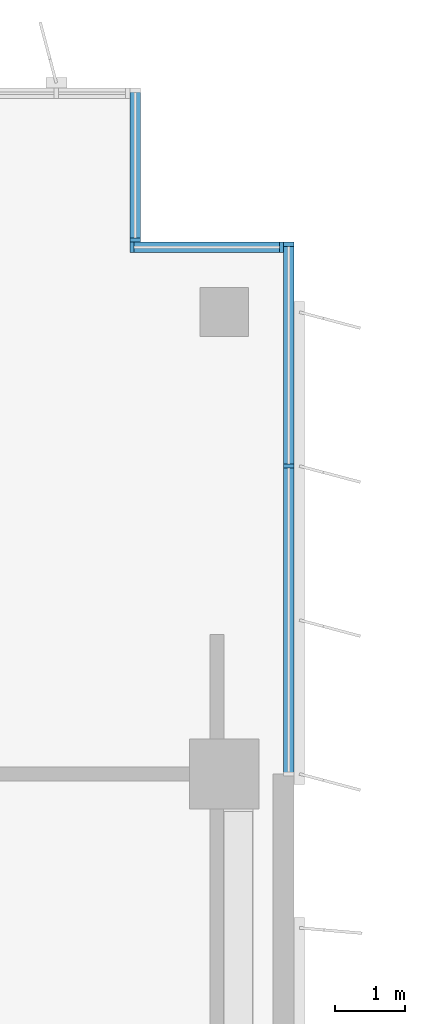
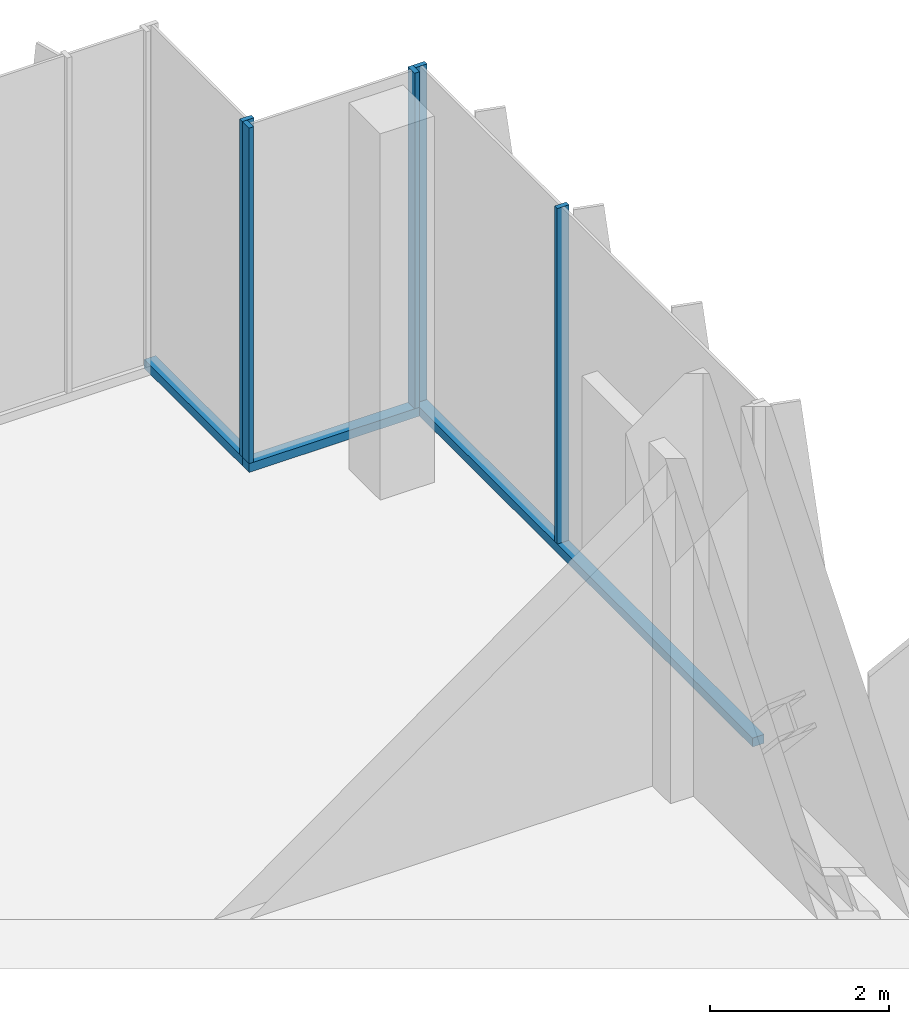
# One storey, part 6 of 17: 8 members, 3 elements without a shape of their own.
"""IFC4 building model written with IfcOpenShell, lengths in metres."""

from ifc_helpers import new_model, si_unit, direction, frame, origin, origin_2d, place, context, subcontext, project, spatial, rectangle, extrude, source, transform, mapped, material, material_profile, profile_set, type_object, element, aggregate, save


model = new_model("IFC4")

# Units and contexts
model_context = context("Model", 3, precision=1e-05, world=origin(), true_north=direction((0.0, 1.0)))
body_context = subcontext(model_context, "Body", "Model", "MODEL_VIEW")
ifc_project = project(units=[si_unit("LENGTHUNIT", "METRE"), si_unit("AREAUNIT", "SQUARE_METRE"), si_unit("VOLUMEUNIT", "CUBIC_METRE"), si_unit("PLANEANGLEUNIT", "RADIAN"), si_unit("MASSUNIT", "GRAM", prefix="KILO")], contexts=[model_context])

# Site, building, storey
site_placement = place(None, origin())
site = spatial("IfcSite", under=ifc_project, at=site_placement, CompositionType="ELEMENT")
building_placement = place(site_placement, origin())
building = spatial("IfcBuilding", under=site, at=building_placement, Name="Kemantara Hotel Tower", CompositionType="ELEMENT")
storey_placement = place(building_placement, frame((0.0, 0.0, 193.800048828125)))
storey = spatial("IfcBuildingStorey", under=building, at=storey_placement, Name="L48", CompositionType="ELEMENT", Elevation=193.800048828125)

# Curtain wall, member
ifc_material_1 = material(Name="Low-E tinted double insulated glass 36 mm", Category="glass")
curtain_wall_type = type_object("IfcCurtainWallType", Name="TOWER CURTAIN WALL, FRONT FACES", PredefinedType="USERDEFINED", material=ifc_material_1)
curtain_wall_1_placement = place(storey_placement, origin())
curtain_wall_1 = element("IfcCurtainWall", 1, at=curtain_wall_1_placement, inside=storey, type_object=curtain_wall_type, Name="CW4 L48 T3-R17-2", ObjectType="TOWER CURTAIN WALL, FRONT FACES", PredefinedType="USERDEFINED")
ifc_material_2 = material(Name="Aluminium 6063-T6 bronze anodised", Category="aluminium")
ifc_material_profile_1 = material_profile(ifc_material_2, rectangle(XDim=0.14990234375, YDim=0.1201171875, at=origin_2d()), Name="TOWER CURTAIN WALL, FRONT FACES TRANSOM")
ifc_profile_set_1 = profile_set([ifc_material_profile_1], Name="Aluminium 6063-T6 bronze anodised")
member_type_1 = type_object("IfcMemberType", Name="TOWER CURTAIN WALL, FRONT FACES TRANSOM", PredefinedType="USERDEFINED", material=ifc_profile_set_1)
member_1_placement = place(storey_placement, frame((21.925048828125, 53.800048828125, 0.06005859375), z_axis=(0.0, 1.0, 0.0), x_axis=(-1.0, 0.0, 0.0)))
member_1 = element("IfcMember", 2, at=member_1_placement, type_object=member_type_1, Name="CW4 sill transom T3-R17-2", ObjectType="TRANSOM", PredefinedType="USERDEFINED", context=body_context, shape_type="SweptSolid", body=[
    extrude(rectangle(XDim=0.14990234375, YDim=0.1201171875, at=origin_2d()), origin(), (0.0, 0.0, 1.0), 7.599853515625),
])

curtain_wall_2_placement = place(storey_placement, origin())
curtain_wall_2 = element("IfcCurtainWall", 3, at=curtain_wall_2_placement, inside=storey, type_object=curtain_wall_type, Name="CW4 L48 T3-R00-1", ObjectType="TOWER CURTAIN WALL, FRONT FACES", PredefinedType="USERDEFINED")
member_2_placement = place(storey_placement, frame((21.85009765625, 61.324951171875, 0.06005859375), z_axis=(-1.0, 0.0, 0.0), x_axis=(0.0, -1.0, 0.0)))
member_2 = element("IfcMember", 4, at=member_2_placement, type_object=member_type_1, Name="CW4 sill transom T3-R00-1", ObjectType="TRANSOM", PredefinedType="USERDEFINED", context=body_context, shape_type="SweptSolid", body=[
    extrude(rectangle(XDim=0.14990234375, YDim=0.1201171875, at=origin_2d()), origin(), (0.0, 0.0, 1.0), 2.2001953125),
])

curtain_wall_3_placement = place(storey_placement, origin())
curtain_wall_3 = element("IfcCurtainWall", 5, at=curtain_wall_3_placement, inside=storey, type_object=curtain_wall_type, Name="CW4 L48 T3-R01-1", ObjectType="TOWER CURTAIN WALL, FRONT FACES", PredefinedType="USERDEFINED")
member_3_placement = place(storey_placement, frame((19.72509765625, 61.39990234375, 0.06005859375), z_axis=(0.0, 1.0, 0.0), x_axis=(-1.0, 0.0, 0.0)))
member_3 = element("IfcMember", 6, at=member_3_placement, type_object=member_type_1, Name="CW4 sill transom T3-R01-1", ObjectType="TRANSOM", PredefinedType="USERDEFINED", context=body_context, shape_type="SweptSolid", body=[
    extrude(rectangle(XDim=0.14990234375, YDim=0.1201171875, at=origin_2d()), origin(), (0.0, 0.0, 1.0), 2.2001953125),
])

# Member
ifc_material_profile_2 = material_profile(ifc_material_2, rectangle(XDim=0.14990234375, YDim=0.06005859375, at=origin_2d()), Name="TOWER CURTAIN WALL, FRONT FACES MULLION")
ifc_profile_set_2 = profile_set([ifc_material_profile_2], Name="Aluminium 6063-T6 bronze anodised")
member_type_2 = type_object("IfcMemberType", Name="TOWER CURTAIN WALL, FRONT FACES MULLION", PredefinedType="MULLION", material=ifc_profile_set_2)
shared_shape = source(origin(), body_context, "Body", "SweptSolid", [
    extrude(rectangle(XDim=0.14990234375, YDim=0.06005859375, at=origin_2d()), origin(), (0.0, 0.0, 1.0), 4.580078125),
])
member_4_placement = place(storey_placement, frame((21.925048828125, 58.199951171875, 0.119873046875), z_axis=(0.0, 0.0, 1.0), x_axis=(-1.0, 0.0, 0.0)))
member_4 = element("IfcMember", 7, at=member_4_placement, type_object=member_type_2, Name="CW4 mullion T3-R17-2.2", PredefinedType="MULLION", context=body_context, shape_type="MappedRepresentation", body=[
    mapped(shared_shape, transform((0.0, 0.0, 0.0))),
])

member_5_placement = place(storey_placement, frame((21.925048828125, 61.3701171875, 0.119873046875), z_axis=(0.0, 0.0, 1.0), x_axis=(-1.0, 0.0, 0.0)))
member_5 = element("IfcMember", 8, at=member_5_placement, type_object=member_type_2, Name="CW4 mullion T3-R17-2.3", PredefinedType="MULLION", context=body_context, shape_type="MappedRepresentation", body=[
    mapped(shared_shape, transform((0.0, 0.0, 0.0))),
])

aggregate(curtain_wall_1, [member_1, member_4, member_5])

member_6_placement = place(storey_placement, frame((21.820068359375, 61.324951171875, 0.119873046875), z_axis=(0.0, 0.0, 1.0), x_axis=(0.0, -1.0, 0.0)))
member_6 = element("IfcMember", 9, at=member_6_placement, type_object=member_type_2, Name="CW4 mullion T3-R00-1.1", PredefinedType="MULLION", context=body_context, shape_type="MappedRepresentation", body=[
    mapped(shared_shape, transform((0.0, 0.0, 0.0))),
])

member_7_placement = place(storey_placement, frame((19.679931640625, 61.324951171875, 0.119873046875), z_axis=(0.0, 0.0, 1.0), x_axis=(0.0, -1.0, 0.0)))
member_7 = element("IfcMember", 10, at=member_7_placement, type_object=member_type_2, Name="CW4 mullion T3-R00-1.2", PredefinedType="MULLION", context=body_context, shape_type="MappedRepresentation", body=[
    mapped(shared_shape, transform((0.0, 0.0, 0.0))),
])

aggregate(curtain_wall_2, [member_2, member_6, member_7])

member_8_placement = place(storey_placement, frame((19.72509765625, 61.429931640625, 0.119873046875), z_axis=(0.0, 0.0, 1.0), x_axis=(-1.0, 0.0, 0.0)))
member_8 = element("IfcMember", 11, at=member_8_placement, type_object=member_type_2, Name="CW4 mullion T3-R01-1.1", PredefinedType="MULLION", context=body_context, shape_type="MappedRepresentation", body=[
    mapped(shared_shape, transform((0.0, 0.0, 0.0))),
])

aggregate(curtain_wall_3, [member_3, member_8])

save(model, "model.ifc")
